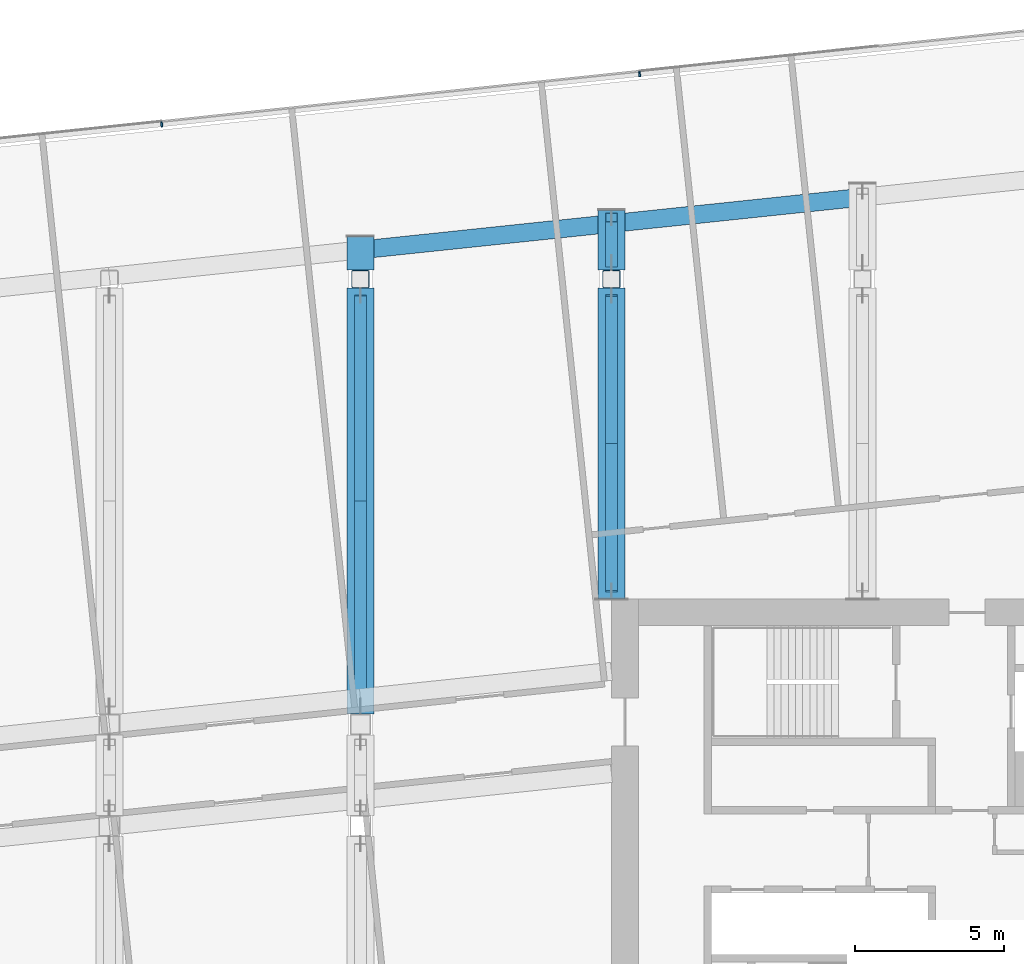
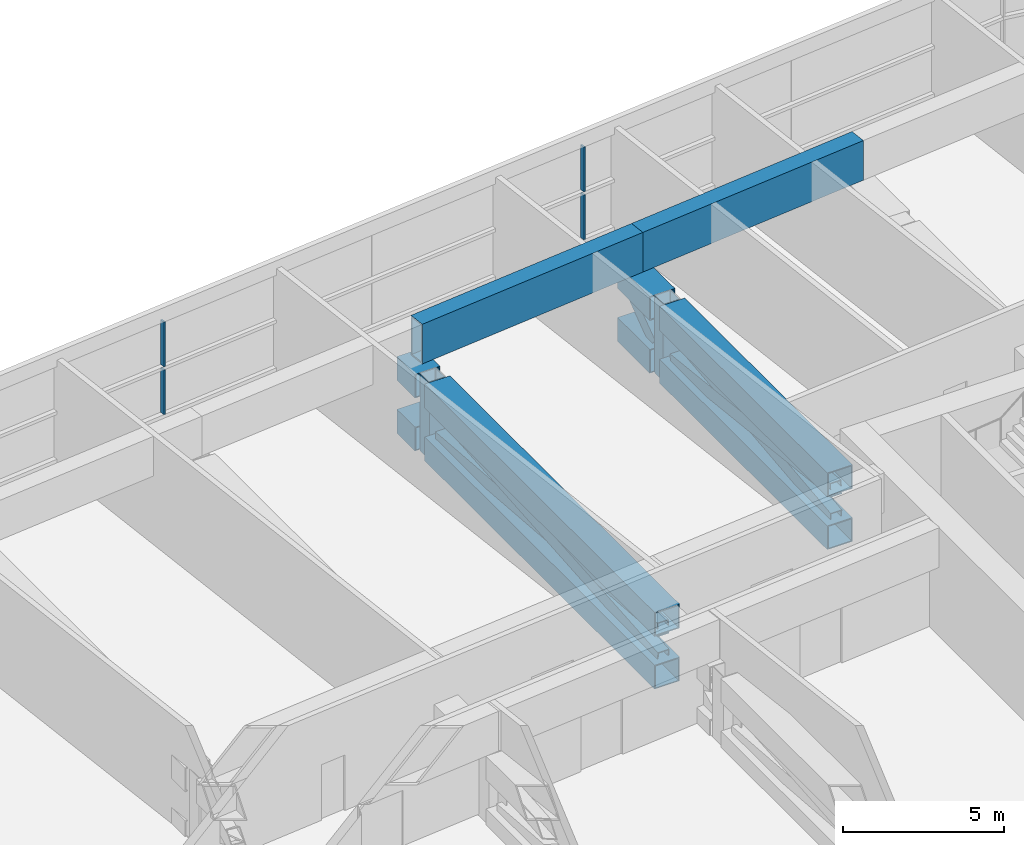
# One storey, part 11 of 33: 19 members, 2 beams, 1 element without a shape of its own.
"""IFC4 building model written with IfcOpenShell, lengths in metres."""

from ifc_helpers import new_model, si_unit, direction, frame, origin, origin_2d, place, context, subcontext, project, spatial, rectangle, hollow_rectangle, extrude, material, layer, layer_set, material_profile, profile_set, type_object, element, aggregate, save


model = new_model("IFC4")

# Units and contexts
model_context = context("Model", 3, precision=1e-05, world=origin(), true_north=direction((0.0, 1.0)))
body_context = subcontext(model_context, "Body", "Model", "MODEL_VIEW")
ifc_project = project(units=[si_unit("LENGTHUNIT", "METRE"), si_unit("AREAUNIT", "SQUARE_METRE"), si_unit("VOLUMEUNIT", "CUBIC_METRE"), si_unit("PLANEANGLEUNIT", "RADIAN"), si_unit("MASSUNIT", "GRAM", prefix="KILO")], contexts=[model_context])

# Site, building, storey
site_placement = place(None, origin())
site = spatial("IfcSite", under=ifc_project, at=site_placement, CompositionType="ELEMENT")
building_placement = place(site_placement, origin())
building = spatial("IfcBuilding", under=site, at=building_placement, Name="Hakoniwa Tower and Hamabe Station Hall", CompositionType="ELEMENT")
storey_placement = place(building_placement, frame((0.0, 0.0, 228.199951171875)))
storey = spatial("IfcBuildingStorey", under=building, at=storey_placement, Name="L65", CompositionType="ELEMENT", Elevation=228.199951171875)

# Curtain wall, members
ifc_material_1 = material(Name="Dark low-e laminated glass", Category="glass")
ifc_layer = layer(ifc_material_1, 0.199951171875)
ifc_layer_set = layer_set([ifc_layer], Name="CW-6 PLANT LOUVRE")
curtain_wall_type = type_object("IfcCurtainWallType", Name="CW-6 PLANT LOUVRE", PredefinedType="NOTDEFINED", material=ifc_layer_set)
curtain_wall_placement = place(storey_placement, origin())
curtain_wall = element("IfcCurtainWall", 1, at=curtain_wall_placement, inside=storey, type_object=curtain_wall_type, Name="CW-6 curtain wall", PredefinedType="NOTDEFINED")
ifc_material_2 = material(Name="Aluminium 6063-T5 black anodised", Category="aluminium")
ifc_material_profile_1 = material_profile(ifc_material_2, rectangle(XDim=0.06005859375, YDim=0.179931640625, at=origin_2d()), Name="CW-1 MULLION 60X180")
ifc_profile_set_1 = profile_set([ifc_material_profile_1], Name="Aluminium 6063-T5 black anodised")
member_type_1 = type_object("IfcMemberType", Name="CW-1 MULLION 60X180", PredefinedType="MULLION", material=ifc_profile_set_1)
member_1_placement = place(storey_placement, frame((17.7421875, 25.955322265625, 0.35009765625), z_axis=(0.0, 0.0, 1.0), x_axis=(-0.994521895328, -0.10452846365, 0.0)))
member_1 = element("IfcMember", 2, at=member_1_placement, type_object=member_type_1, Name="CW-6 mullion", PredefinedType="MULLION", context=body_context, shape_type="SweptSolid", body=[
    extrude(rectangle(XDim=0.06005859375, YDim=0.179931640625, at=origin_2d()), origin(), (0.0, 0.0, 1.0), 1.68994140625),
])
member_2_placement = place(storey_placement, frame((17.7421875, 25.955322265625, 2.16015625), z_axis=(0.0, 0.0, 1.0), x_axis=(-0.994521895328, -0.10452846365, 0.0)))
member_2 = element("IfcMember", 3, at=member_2_placement, type_object=member_type_1, Name="CW-6 mullion", PredefinedType="MULLION", context=body_context, shape_type="SweptSolid", body=[
    extrude(rectangle(XDim=0.06005859375, YDim=0.179931640625, at=origin_2d()), origin(), (0.0, 0.0, 1.0), 1.68994140625),
])
member_3_placement = place(storey_placement, frame((1.7529296875, 24.27490234375, 0.35009765625), z_axis=(0.0, 0.0, 1.0), x_axis=(-0.994521895328, -0.10452846365, 0.0)))
member_3 = element("IfcMember", 4, at=member_3_placement, type_object=member_type_1, Name="CW-6 mullion", PredefinedType="MULLION", context=body_context, shape_type="SweptSolid", body=[
    extrude(rectangle(XDim=0.06005859375, YDim=0.179931640625, at=origin_2d()), origin(), (0.0, 0.0, 1.0), 1.68994140625),
])
member_4_placement = place(storey_placement, frame((1.7529296875, 24.27490234375, 2.16015625), z_axis=(0.0, 0.0, 1.0), x_axis=(-0.994521895328, -0.10452846365, 0.0)))
member_4 = element("IfcMember", 5, at=member_4_placement, type_object=member_type_1, Name="CW-6 mullion", PredefinedType="MULLION", context=body_context, shape_type="SweptSolid", body=[
    extrude(rectangle(XDim=0.06005859375, YDim=0.179931640625, at=origin_2d()), origin(), (0.0, 0.0, 1.0), 1.68994140625),
])
aggregate(curtain_wall, [member_1, member_2, member_3, member_4])

# Beams
ifc_material_3 = material(Name="Steel SN490C", Category="steel")
ifc_material_profile_2 = material_profile(ifc_material_3, hollow_rectangle(XDim=0.60009765625, YDim=1.5, WallThickness=0.054931640625, at=origin_2d()), Name="BX-1500x600x55")
ifc_profile_set_2 = profile_set([ifc_material_profile_2], Name="Steel SN490C")
beam_type = type_object("IfcBeamType", Name="TRANSFER GIRDER BX-1500x600x55", PredefinedType="BEAM", material=ifc_profile_set_2)
beam_1_placement = place(storey_placement, frame((8.39990234375, 20.07421875, 3.35009765625), z_axis=(0.994525865286, 0.104490685122, 0.0), x_axis=(-0.104490685122, 0.994525865286, 0.0)))
element("IfcBeam", 6, at=beam_1_placement, inside=storey, type_object=beam_type, Name="Truss T4-S-F5-G7", PredefinedType="BEAM", context=body_context, shape_type="SweptSolid", body=[
    extrude(hollow_rectangle(XDim=0.60009765625, YDim=1.5, WallThickness=0.054931640625, at=origin_2d()), origin(), (0.0, 0.0, 1.0), 8.4462890625),
])
beam_2_placement = place(storey_placement, frame((16.800048828125, 20.956787109375, 3.35009765625), z_axis=(0.994522545364, 0.10452227879, 0.0), x_axis=(-0.10452227879, 0.994522545364, 0.0)))
element("IfcBeam", 7, at=beam_2_placement, inside=storey, type_object=beam_type, Name="Truss T4-S-F5-G8", PredefinedType="BEAM", context=body_context, shape_type="SweptSolid", body=[
    extrude(hollow_rectangle(XDim=0.60009765625, YDim=1.5, WallThickness=0.054931640625, at=origin_2d()), origin(), (0.0, 0.0, 1.0), 8.446044921875),
])

# Members
ifc_material_4 = material(Name="Steel SN490C", Category="steel")
ifc_material_profile_3 = material_profile(ifc_material_4, hollow_rectangle(XDim=0.89990234375, YDim=0.89990234375, WallThickness=0.035888671875, at=origin_2d()), Name="BX-900x900x36")
ifc_profile_set_3 = profile_set([ifc_material_profile_3], Name="Steel SN490C")
member_type_2 = type_object("IfcMemberType", Name="TRUSS CHORD BX-900x900x36", PredefinedType="CHORD", material=ifc_profile_set_3)
for number, where, z_axis, x_axis, name in (
    (8, (8.39990234375, 4.550048828125, 0.150146484375), (0.0, 1.0, 0.0), (-1.0, 0.0, 0.0), "Truss T4-11-BC03"),
    (9, (8.39990234375, 4.550048828125, 2.150146484375), (0.0, 1.0, 0.0), (-1.0, 0.0, 0.0), "Truss T4-11-TC03"),
):
    element("IfcMember", number, at=place(storey_placement, frame(where, z_axis=z_axis, x_axis=x_axis)), inside=storey, type_object=member_type_2, Name=name, PredefinedType="CHORD", context=body_context, shape_type="SweptSolid", body=[
        extrude(hollow_rectangle(XDim=0.89990234375, YDim=0.89990234375, WallThickness=0.035888671875, at=origin_2d()), origin(), (0.0, 0.0, 1.0), 14.25),
    ])
for number, where, z_axis, x_axis, name in (
    (10, (8.39990234375, 19.39990234375, 0.150146484375), (0.0, 1.0, 0.0), (-1.0, 0.0, 0.0), "Truss T4-11-BCH"),
    (11, (8.39990234375, 19.39990234375, 2.150146484375), (0.0, 1.0, 0.0), (-1.0, 0.0, 0.0), "Truss T4-11-TCH"),
):
    element("IfcMember", number, at=place(storey_placement, frame(where, z_axis=z_axis, x_axis=x_axis)), inside=storey, type_object=member_type_2, Name=name, PredefinedType="CHORD", context=body_context, shape_type="SweptSolid", body=[
        extrude(hollow_rectangle(XDim=0.89990234375, YDim=0.89990234375, WallThickness=0.035888671875, at=origin_2d()), origin(), (0.0, 0.0, 1.0), 1.1240234375),
    ])
for number, where, z_axis, x_axis, name in (
    (12, (16.800048828125, 8.39990234375, 0.150146484375), (0.0, 1.0, 0.0), (-1.0, 0.0, 0.0), "Truss T4-13-BC01"),
    (13, (16.800048828125, 8.39990234375, 2.150146484375), (0.0, 1.0, 0.0), (-1.0, 0.0, 0.0), "Truss T4-13-TC01"),
):
    element("IfcMember", number, at=place(storey_placement, frame(where, z_axis=z_axis, x_axis=x_axis)), inside=storey, type_object=member_type_2, Name=name, PredefinedType="CHORD", context=body_context, shape_type="SweptSolid", body=[
        extrude(hollow_rectangle(XDim=0.89990234375, YDim=0.89990234375, WallThickness=0.035888671875, at=origin_2d()), origin(), (0.0, 0.0, 1.0), 10.400146484375),
    ])
for number, where, z_axis, x_axis, name in (
    (14, (16.800048828125, 19.39990234375, 0.150146484375), (0.0, 1.0, 0.0), (-1.0, 0.0, 0.0), "Truss T4-13-BCH"),
    (15, (16.800048828125, 19.39990234375, 2.150146484375), (0.0, 1.0, 0.0), (-1.0, 0.0, 0.0), "Truss T4-13-TCH"),
):
    element("IfcMember", number, at=place(storey_placement, frame(where, z_axis=z_axis, x_axis=x_axis)), inside=storey, type_object=member_type_2, Name=name, PredefinedType="CHORD", context=body_context, shape_type="SweptSolid", body=[
        extrude(hollow_rectangle(XDim=0.89990234375, YDim=0.89990234375, WallThickness=0.035888671875, at=origin_2d()), origin(), (0.0, 0.0, 1.0), 2.007080078125),
    ])
ifc_material_5 = material(Name="Steel SN490C", Category="steel")
ifc_material_profile_4 = material_profile(ifc_material_5, hollow_rectangle(XDim=0.39990234375, YDim=0.5, WallThickness=0.02197265625, at=origin_2d()), Name="BX-500x400x22")
ifc_profile_set_4 = profile_set([ifc_material_profile_4], Name="Steel SN490C")
member_type_3 = type_object("IfcMemberType", Name="TRUSS DIAGONAL BX-500x400x22", PredefinedType="BRACE", material=ifc_profile_set_4)
for number, where, z_axis, x_axis, name in (
    (16, (8.39990234375, 4.800048828125, 0.60009765625), (0.0, 0.996816122637, 0.079734670321), (-1.0, 0.0, 0.0), "Truss T4-11-D03a"),
    (17, (8.39990234375, 4.800048828125, 1.699951171875), (0.0, 0.996816122637, -0.079734670321), (-1.0, 0.0, 0.0), "Truss T4-11-D03b"),
):
    element("IfcMember", number, at=place(storey_placement, frame(where, z_axis=z_axis, x_axis=x_axis)), inside=storey, type_object=member_type_3, Name=name, PredefinedType="BRACE", context=body_context, shape_type="SweptSolid", body=[
        extrude(hollow_rectangle(XDim=0.39990234375, YDim=0.5, WallThickness=0.02197265625, at=origin_2d()), origin(), (0.0, 0.0, 1.0), 13.7939453125),
    ])
for number, where, z_axis, x_axis, name in (
    (18, (16.800048828125, 8.64990234375, 0.60009765625), (0.0, 0.993885527922, 0.110415385645), (-1.0, 0.0, 0.0), "Truss T4-13-D01a"),
    (19, (16.800048828125, 8.64990234375, 1.699951171875), (0.0, 0.993885527922, -0.110415385645), (-1.0, 0.0, 0.0), "Truss T4-13-D01b"),
):
    element("IfcMember", number, at=place(storey_placement, frame(where, z_axis=z_axis, x_axis=x_axis)), inside=storey, type_object=member_type_3, Name=name, PredefinedType="BRACE", context=body_context, shape_type="SweptSolid", body=[
        extrude(hollow_rectangle(XDim=0.39990234375, YDim=0.5, WallThickness=0.02197265625, at=origin_2d()), origin(), (0.0, 0.0, 1.0), 9.9609375),
    ])
member_5_placement = place(storey_placement, frame((16.800048828125, 19.64990234375, 0.60009765625), z_axis=(0.0, 0.807767370875, 0.589501377903), x_axis=(-1.0, 0.0, 0.0)))
element("IfcMember", 20, at=member_5_placement, inside=storey, type_object=member_type_3, Name="Truss T4-13-DHa", PredefinedType="BRACE", context=body_context, shape_type="SweptSolid", body=[
    extrude(hollow_rectangle(XDim=0.39990234375, YDim=0.5, WallThickness=0.02197265625, at=origin_2d()), origin(), (0.0, 0.0, 1.0), 1.86572265625),
])
ifc_material_6 = material(Name="Steel BCP325", Category="steel")
ifc_material_profile_5 = material_profile(ifc_material_6, hollow_rectangle(XDim=0.60009765625, YDim=0.60009765625, WallThickness=0.02490234375, InnerFilletRadius=0.03759765625, OuterFilletRadius=0.0625, at=origin_2d()), Name="BCP-600x600x25")
ifc_profile_set_5 = profile_set([ifc_material_profile_5], Name="Steel BCP325")
member_type_4 = type_object("IfcMemberType", Name="TRUSS POST BCP-600x600x25", PredefinedType="POST", material=ifc_profile_set_5)
for number, where, z_axis, x_axis, name in (
    (21, (8.39990234375, 19.10009765625, -0.300048828125), (0.0, 0.0, 1.0), (1.0, 0.0, 0.0), "Truss T4-11-P04"),
    (22, (16.800048828125, 19.10009765625, -0.300048828125), (0.0, 0.0, 1.0), (1.0, 0.0, 0.0), "Truss T4-13-P02"),
):
    element("IfcMember", number, at=place(storey_placement, frame(where, z_axis=z_axis, x_axis=x_axis)), inside=storey, type_object=member_type_4, Name=name, PredefinedType="POST", context=body_context, shape_type="SweptSolid", body=[
        extrude(hollow_rectangle(XDim=0.60009765625, YDim=0.60009765625, WallThickness=0.02490234375, InnerFilletRadius=0.03759765625, OuterFilletRadius=0.0625, at=origin_2d()), origin(), (0.0, 0.0, 1.0), 2.900146484375),
    ])

save(model, "model.ifc")
